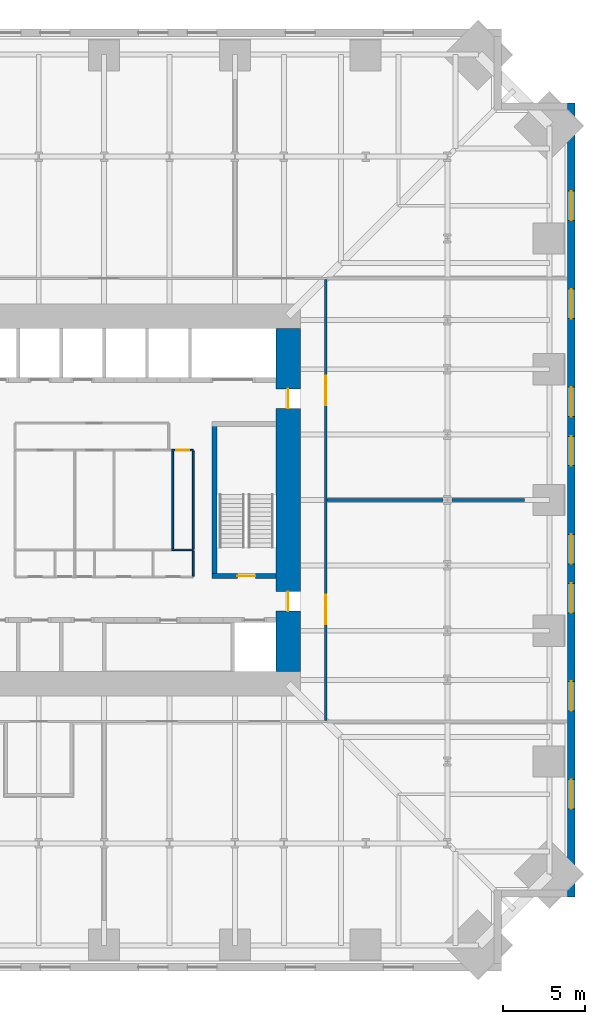
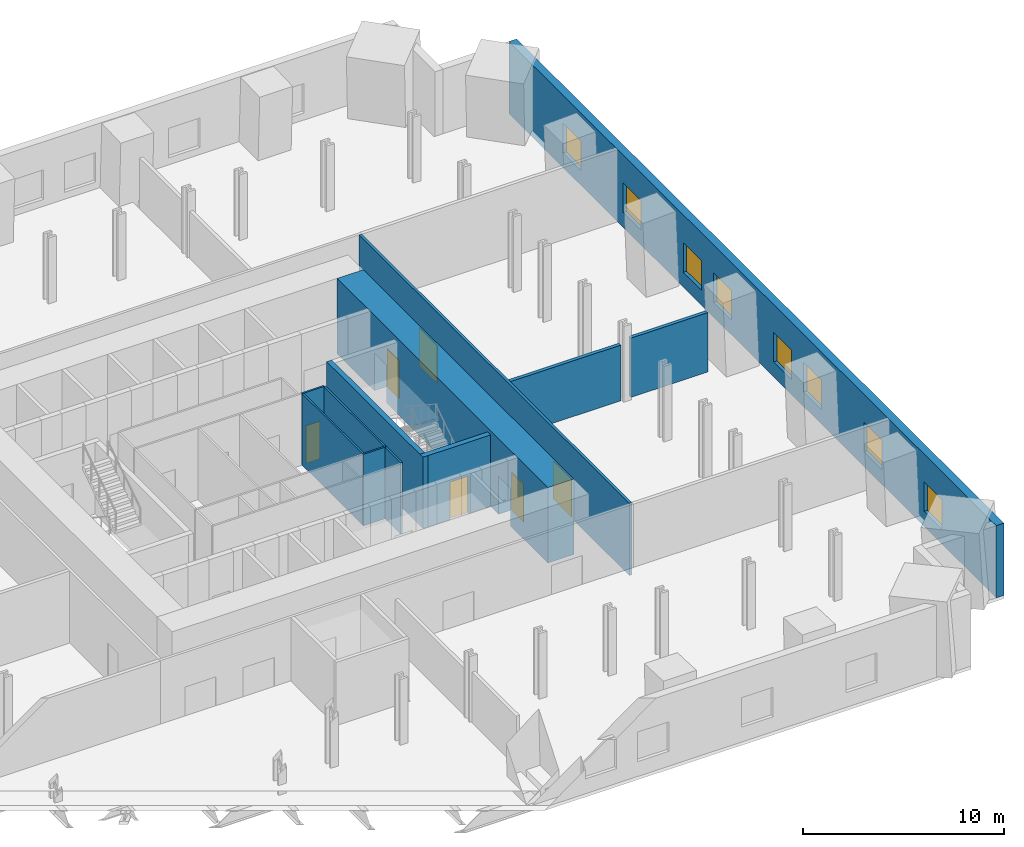
# One storey, part 5 of 8: 12 walls, 8 windows, 6 doors, 14 openings.
"""IFC4 building model written with IfcOpenShell, lengths in metres."""

from ifc_helpers import new_model, si_unit, direction, frame, frame_2d, origin, place, context, subcontext, project, spatial, rectangle, extrude, material, layer, layer_set, type_object, element, fill, save


model = new_model("IFC4")

# Units and contexts
model_context = context("Model", 3, precision=1e-05, world=origin(), true_north=direction((0.0, 1.0)))
body_context = subcontext(model_context, "Body", "Model", "MODEL_VIEW")
ifc_project = project(units=[si_unit("LENGTHUNIT", "METRE"), si_unit("AREAUNIT", "SQUARE_METRE"), si_unit("VOLUMEUNIT", "CUBIC_METRE"), si_unit("PLANEANGLEUNIT", "RADIAN"), si_unit("MASSUNIT", "GRAM", prefix="KILO")], contexts=[model_context])

# Site, building, storey
site_placement = place(None, origin())
site = spatial("IfcSite", under=ifc_project, at=site_placement, CompositionType="ELEMENT")
building_placement = place(site_placement, origin())
building = spatial("IfcBuilding", under=site, at=building_placement, Name="Peilmerk Tower", CompositionType="ELEMENT")
storey_placement = place(building_placement, frame((0.0, 0.0, 90.60009765625)))
storey = spatial("IfcBuildingStorey", under=building, at=storey_placement, Name="L17", CompositionType="ELEMENT", Elevation=90.60009765625)

# Wall, openings, windows
ifc_material_1 = material(Name="Precast concrete C45/55, board-marked finish", Category="concrete")
ifc_layer_1 = layer(ifc_material_1, 0.449951171875)
ifc_layer_set_1 = layer_set([ifc_layer_1], Name="Precast concrete C45/55, board-marked finish")
wall_type_1 = type_object("IfcWallType", Name="EW1 450 precast concrete facade wall, board-marked", PredefinedType="SOLIDWALL", material=ifc_layer_set_1)
wall_1_placement = place(storey_placement, frame((28.574951171875, -24.300048828125, 0.0), z_axis=(0.0, 0.0, 1.0), x_axis=(0.0, 1.0, 0.0)))
wall_1 = element("IfcWall", 1, at=wall_1_placement, inside=storey, type_object=wall_type_1, Name="Facade wall E L17", PredefinedType="SOLIDWALL", context=body_context, shape_type="SweptSolid", body=[
    extrude(rectangle(XDim=48.60009765625, YDim=0.449951171875, at=frame_2d((24.300048828125, 0.0))), origin(), (0.0, 0.0, 1.0), 4.39990234375),
])
opening_1_placement = place(wall_1_placement, frame((5.39990234375, 0.0, 0.89990234375)))
opening_1 = element("IfcOpeningElement", 2, at=opening_1_placement, cuts=wall_1, Name="Opening W3", PredefinedType="OPENING", context=body_context, shape_type="SweptSolid", body=[
    extrude(rectangle(XDim=1.800048828125, YDim=1.800048828125, at=frame_2d((0.89990234375, 0.89990234375))), frame((0.0, 0.23486328125, 0.0), z_axis=(0.0, -1.0, 0.0), x_axis=(1.0, 0.0, 0.0)), (0.0, 0.0, 1.0), 0.469970703125),
])
opening_2_placement = place(wall_1_placement, frame((11.39990234375, 0.0, 0.89990234375)))
opening_2 = element("IfcOpeningElement", 3, at=opening_2_placement, cuts=wall_1, Name="Opening W3", PredefinedType="OPENING", context=body_context, shape_type="SweptSolid", body=[
    extrude(rectangle(XDim=1.800048828125, YDim=1.800048828125, at=frame_2d((0.89990234375, 0.89990234375))), frame((0.0, 0.23486328125, 0.0), z_axis=(0.0, -1.0, 0.0), x_axis=(1.0, 0.0, 0.0)), (0.0, 0.0, 1.0), 0.469970703125),
])
opening_3_placement = place(wall_1_placement, frame((17.39990234375, 0.0, 0.89990234375)))
opening_3 = element("IfcOpeningElement", 4, at=opening_3_placement, cuts=wall_1, Name="Opening W3", PredefinedType="OPENING", context=body_context, shape_type="SweptSolid", body=[
    extrude(rectangle(XDim=1.800048828125, YDim=1.800048828125, at=frame_2d((0.89990234375, 0.89990234375))), frame((0.0, 0.23486328125, 0.0), z_axis=(0.0, -1.0, 0.0), x_axis=(1.0, 0.0, 0.0)), (0.0, 0.0, 1.0), 0.469970703125),
])
opening_4_placement = place(wall_1_placement, frame((20.39990234375, 0.0, 0.89990234375)))
opening_4 = element("IfcOpeningElement", 5, at=opening_4_placement, cuts=wall_1, Name="Opening W3", PredefinedType="OPENING", context=body_context, shape_type="SweptSolid", body=[
    extrude(rectangle(XDim=1.800048828125, YDim=1.800048828125, at=frame_2d((0.89990234375, 0.89990234375))), frame((0.0, 0.23486328125, 0.0), z_axis=(0.0, -1.0, 0.0), x_axis=(1.0, 0.0, 0.0)), (0.0, 0.0, 1.0), 0.469970703125),
])
opening_5_placement = place(wall_1_placement, frame((26.39990234375, 0.0, 0.89990234375)))
opening_5 = element("IfcOpeningElement", 6, at=opening_5_placement, cuts=wall_1, Name="Opening W3", PredefinedType="OPENING", context=body_context, shape_type="SweptSolid", body=[
    extrude(rectangle(XDim=1.800048828125, YDim=1.800048828125, at=frame_2d((0.89990234375, 0.89990234375))), frame((0.0, 0.23486328125, 0.0), z_axis=(0.0, -1.0, 0.0), x_axis=(1.0, 0.0, 0.0)), (0.0, 0.0, 1.0), 0.469970703125),
])
opening_6_placement = place(wall_1_placement, frame((29.39990234375, 0.0, 0.89990234375)))
opening_6 = element("IfcOpeningElement", 7, at=opening_6_placement, cuts=wall_1, Name="Opening W3", PredefinedType="OPENING", context=body_context, shape_type="SweptSolid", body=[
    extrude(rectangle(XDim=1.800048828125, YDim=1.800048828125, at=frame_2d((0.89990234375, 0.89990234375))), frame((0.0, 0.23486328125, 0.0), z_axis=(0.0, -1.0, 0.0), x_axis=(1.0, 0.0, 0.0)), (0.0, 0.0, 1.0), 0.469970703125),
])
opening_7_placement = place(wall_1_placement, frame((35.39990234375, 0.0, 0.89990234375)))
opening_7 = element("IfcOpeningElement", 8, at=opening_7_placement, cuts=wall_1, Name="Opening W3", PredefinedType="OPENING", context=body_context, shape_type="SweptSolid", body=[
    extrude(rectangle(XDim=1.800048828125, YDim=1.800048828125, at=frame_2d((0.89990234375, 0.89990234375))), frame((0.0, 0.23486328125, 0.0), z_axis=(0.0, -1.0, 0.0), x_axis=(1.0, 0.0, 0.0)), (0.0, 0.0, 1.0), 0.469970703125),
])
opening_8_placement = place(wall_1_placement, frame((41.39990234375, 0.0, 0.89990234375)))
opening_8 = element("IfcOpeningElement", 9, at=opening_8_placement, cuts=wall_1, Name="Opening W3", PredefinedType="OPENING", context=body_context, shape_type="SweptSolid", body=[
    extrude(rectangle(XDim=1.800048828125, YDim=1.800048828125, at=frame_2d((0.89990234375, 0.89990234375))), frame((0.0, 0.23486328125, 0.0), z_axis=(0.0, -1.0, 0.0), x_axis=(1.0, 0.0, 0.0)), (0.0, 0.0, 1.0), 0.469970703125),
])
ifc_material_2 = material(Name="Aluminium frame, clear double glazing", Category="aluminium")
window_type = type_object("IfcWindowType", Name="W3 1800x1800 telecom floor window", PartitioningType="SINGLE_PANEL", PredefinedType="WINDOW", material=ifc_material_2)
window_1_placement = place(opening_1_placement, origin())
window_1 = element("IfcWindow", 10, at=window_1_placement, inside=storey, type_object=window_type, Name="Window W3 L17", OverallHeight=1.800048828125, OverallWidth=1.800048828125, PartitioningType="SINGLE_PANEL", PredefinedType="WINDOW", context=body_context, shape_type="SweptSolid", body=[
    extrude(rectangle(XDim=1.800048828125, YDim=1.800048828125, at=frame_2d((0.89990234375, 0.89990234375))), frame((0.0, 0.030029296875, 0.0), z_axis=(0.0, -1.0, 0.0), x_axis=(1.0, 0.0, 0.0)), (0.0, 0.0, 1.0), 0.06005859375),
])
fill(opening_1, window_1)
window_2_placement = place(opening_2_placement, origin())
window_2 = element("IfcWindow", 11, at=window_2_placement, inside=storey, type_object=window_type, Name="Window W3 L17", OverallHeight=1.800048828125, OverallWidth=1.800048828125, PartitioningType="SINGLE_PANEL", PredefinedType="WINDOW", context=body_context, shape_type="SweptSolid", body=[
    extrude(rectangle(XDim=1.800048828125, YDim=1.800048828125, at=frame_2d((0.89990234375, 0.89990234375))), frame((0.0, 0.030029296875, 0.0), z_axis=(0.0, -1.0, 0.0), x_axis=(1.0, 0.0, 0.0)), (0.0, 0.0, 1.0), 0.06005859375),
])
fill(opening_2, window_2)
window_3_placement = place(opening_3_placement, origin())
window_3 = element("IfcWindow", 12, at=window_3_placement, inside=storey, type_object=window_type, Name="Window W3 L17", OverallHeight=1.800048828125, OverallWidth=1.800048828125, PartitioningType="SINGLE_PANEL", PredefinedType="WINDOW", context=body_context, shape_type="SweptSolid", body=[
    extrude(rectangle(XDim=1.800048828125, YDim=1.800048828125, at=frame_2d((0.89990234375, 0.89990234375))), frame((0.0, 0.030029296875, 0.0), z_axis=(0.0, -1.0, 0.0), x_axis=(1.0, 0.0, 0.0)), (0.0, 0.0, 1.0), 0.06005859375),
])
fill(opening_3, window_3)
window_4_placement = place(opening_4_placement, origin())
window_4 = element("IfcWindow", 13, at=window_4_placement, inside=storey, type_object=window_type, Name="Window W3 L17", OverallHeight=1.800048828125, OverallWidth=1.800048828125, PartitioningType="SINGLE_PANEL", PredefinedType="WINDOW", context=body_context, shape_type="SweptSolid", body=[
    extrude(rectangle(XDim=1.800048828125, YDim=1.800048828125, at=frame_2d((0.89990234375, 0.89990234375))), frame((0.0, 0.030029296875, 0.0), z_axis=(0.0, -1.0, 0.0), x_axis=(1.0, 0.0, 0.0)), (0.0, 0.0, 1.0), 0.06005859375),
])
fill(opening_4, window_4)
window_5_placement = place(opening_5_placement, origin())
window_5 = element("IfcWindow", 14, at=window_5_placement, inside=storey, type_object=window_type, Name="Window W3 L17", OverallHeight=1.800048828125, OverallWidth=1.800048828125, PartitioningType="SINGLE_PANEL", PredefinedType="WINDOW", context=body_context, shape_type="SweptSolid", body=[
    extrude(rectangle(XDim=1.800048828125, YDim=1.800048828125, at=frame_2d((0.89990234375, 0.89990234375))), frame((0.0, 0.030029296875, 0.0), z_axis=(0.0, -1.0, 0.0), x_axis=(1.0, 0.0, 0.0)), (0.0, 0.0, 1.0), 0.06005859375),
])
fill(opening_5, window_5)
window_6_placement = place(opening_6_placement, origin())
window_6 = element("IfcWindow", 15, at=window_6_placement, inside=storey, type_object=window_type, Name="Window W3 L17", OverallHeight=1.800048828125, OverallWidth=1.800048828125, PartitioningType="SINGLE_PANEL", PredefinedType="WINDOW", context=body_context, shape_type="SweptSolid", body=[
    extrude(rectangle(XDim=1.800048828125, YDim=1.800048828125, at=frame_2d((0.89990234375, 0.89990234375))), frame((0.0, 0.030029296875, 0.0), z_axis=(0.0, -1.0, 0.0), x_axis=(1.0, 0.0, 0.0)), (0.0, 0.0, 1.0), 0.06005859375),
])
fill(opening_6, window_6)
window_7_placement = place(opening_7_placement, origin())
window_7 = element("IfcWindow", 16, at=window_7_placement, inside=storey, type_object=window_type, Name="Window W3 L17", OverallHeight=1.800048828125, OverallWidth=1.800048828125, PartitioningType="SINGLE_PANEL", PredefinedType="WINDOW", context=body_context, shape_type="SweptSolid", body=[
    extrude(rectangle(XDim=1.800048828125, YDim=1.800048828125, at=frame_2d((0.89990234375, 0.89990234375))), frame((0.0, 0.030029296875, 0.0), z_axis=(0.0, -1.0, 0.0), x_axis=(1.0, 0.0, 0.0)), (0.0, 0.0, 1.0), 0.06005859375),
])
fill(opening_7, window_7)
window_8_placement = place(opening_8_placement, origin())
window_8 = element("IfcWindow", 17, at=window_8_placement, inside=storey, type_object=window_type, Name="Window W3 L17", OverallHeight=1.800048828125, OverallWidth=1.800048828125, PartitioningType="SINGLE_PANEL", PredefinedType="WINDOW", context=body_context, shape_type="SweptSolid", body=[
    extrude(rectangle(XDim=1.800048828125, YDim=1.800048828125, at=frame_2d((0.89990234375, 0.89990234375))), frame((0.0, 0.030029296875, 0.0), z_axis=(0.0, -1.0, 0.0), x_axis=(1.0, 0.0, 0.0)), (0.0, 0.0, 1.0), 0.06005859375),
])
fill(opening_8, window_8)

# Wall, openings, doors
ifc_material_3 = material(Name="Calcium silicate block", Category="masonry")
ifc_layer_2 = layer(ifc_material_3, 0.14990234375)
ifc_layer_set_2 = layer_set([ifc_layer_2], Name="Calcium silicate block")
wall_type_2 = type_object("IfcWallType", Name="IW1 150 corridor partition, EI 60", PredefinedType="PARTITIONING", material=ifc_layer_set_2)
wall_2_placement = place(storey_placement, frame((13.550048828125, -13.47509765625, 0.0), z_axis=(0.0, 0.0, 1.0), x_axis=(0.0, 1.0, 0.0)))
wall_2 = element("IfcWall", 18, at=wall_2_placement, inside=storey, type_object=wall_type_2, Name="Corridor wall E L17", PredefinedType="PARTITIONING", context=body_context, shape_type="SweptSolid", body=[
    extrude(rectangle(XDim=26.9501953125, YDim=0.14990234375, at=frame_2d((13.47509765625, 0.0))), origin(), (0.0, 0.0, 1.0), 4.39990234375),
])
opening_9_placement = place(wall_2_placement, frame((5.875, 0.0, 0.0)))
opening_9 = element("IfcOpeningElement", 19, at=opening_9_placement, cuts=wall_2, Name="Opening D2", PredefinedType="OPENING", context=body_context, shape_type="SweptSolid", body=[
    extrude(rectangle(XDim=1.800048828125, YDim=2.300048828125, at=frame_2d((0.89990234375, 1.14990234375))), frame((0.0, 0.0849609375, 0.0), z_axis=(0.0, -1.0, 0.0), x_axis=(1.0, 0.0, 0.0)), (0.0, 0.0, 1.0), 0.169921875),
])
opening_10_placement = place(wall_2_placement, frame((19.27490234375, 0.0, 0.0)))
opening_10 = element("IfcOpeningElement", 20, at=opening_10_placement, cuts=wall_2, Name="Opening D2", PredefinedType="OPENING", context=body_context, shape_type="SweptSolid", body=[
    extrude(rectangle(XDim=1.800048828125, YDim=2.300048828125, at=frame_2d((0.89990234375, 1.14990234375))), frame((0.0, 0.0849609375, 0.0), z_axis=(0.0, -1.0, 0.0), x_axis=(1.0, 0.0, 0.0)), (0.0, 0.0, 1.0), 0.169921875),
])
ifc_material_4 = material(Name="Steel door in steel frame", Category="steel")
door_type_1 = type_object("IfcDoorType", Name="D2 1800x2300 double door, EI2 60", OperationType="DOUBLE_DOOR_DOUBLE_SWING", PredefinedType="DOOR", material=ifc_material_4)
door_1_placement = place(opening_9_placement, frame((1.800048828125, 0.0, 0.0), z_axis=(0.0, 0.0, 1.0), x_axis=(-1.0, 0.0, 0.0)))
door_1 = element("IfcDoor", 21, at=door_1_placement, inside=storey, type_object=door_type_1, Name="Door Rectifier room L17", OperationType="DOUBLE_DOOR_DOUBLE_SWING", OverallHeight=2.300048828125, OverallWidth=1.800048828125, PredefinedType="DOOR", context=body_context, shape_type="SweptSolid", body=[
    extrude(rectangle(XDim=1.800048828125, YDim=2.300048828125, at=frame_2d((0.89990234375, 1.14990234375))), frame((0.0, 0.02490234375, 0.0), z_axis=(0.0, -1.0, 0.0), x_axis=(1.0, 0.0, 0.0)), (0.0, 0.0, 1.0), 0.050048828125),
])
fill(opening_9, door_1)
door_2_placement = place(opening_10_placement, frame((1.800048828125, 0.0, 0.0), z_axis=(0.0, 0.0, 1.0), x_axis=(-1.0, 0.0, 0.0)))
door_2 = element("IfcDoor", 22, at=door_2_placement, inside=storey, type_object=door_type_1, Name="Door Battery room L17", OperationType="DOUBLE_DOOR_DOUBLE_SWING", OverallHeight=2.300048828125, OverallWidth=1.800048828125, PredefinedType="DOOR", context=body_context, shape_type="SweptSolid", body=[
    extrude(rectangle(XDim=1.800048828125, YDim=2.300048828125, at=frame_2d((0.89990234375, 1.14990234375))), frame((0.0, 0.02490234375, 0.0), z_axis=(0.0, -1.0, 0.0), x_axis=(1.0, 0.0, 0.0)), (0.0, 0.0, 1.0), 0.050048828125),
])
fill(opening_10, door_2)

# Walls
ifc_layer_3 = layer(ifc_material_3, 0.199951171875)
ifc_layer_set_3 = layer_set([ifc_layer_3], Name="Calcium silicate block")
wall_type_3 = type_object("IfcWallType", Name="IW2 200 room separating wall, EI 120", PredefinedType="PARTITIONING", material=ifc_layer_set_3)
wall_3_placement = place(storey_placement, frame((13.625, 0.0, 0.0), z_axis=(0.0, 0.0, 1.0), x_axis=(1.0, 0.0, 0.0)))
element("IfcWall", 23, at=wall_3_placement, inside=storey, type_object=wall_type_3, Name="Room separating wall E1 L17", PredefinedType="PARTITIONING", context=body_context, shape_type="SweptSolid", body=[
    extrude(rectangle(XDim=7.090576171875, YDim=0.199951171875, at=frame_2d((3.54541015625, 0.0))), origin(), (0.0, 0.0, 1.0), 3.391845703125),
])
wall_4_placement = place(storey_placement, frame((21.284423828125, 0.0, 0.0), z_axis=(0.0, 0.0, 1.0), x_axis=(1.0, 0.0, 0.0)))
element("IfcWall", 24, at=wall_4_placement, inside=storey, type_object=wall_type_3, Name="Room separating wall E1b L17", PredefinedType="PARTITIONING", context=body_context, shape_type="SweptSolid", body=[
    extrude(rectangle(XDim=4.43017578125, YDim=0.199951171875, at=frame_2d((2.215087890625, 0.0))), origin(), (0.0, 0.0, 1.0), 3.60986328125),
])
ifc_material_5 = material(Name="Concrete C35/45", Category="concrete")
ifc_layer_4 = layer(ifc_material_5, 0.300048828125)
ifc_layer_set_4 = layer_set([ifc_layer_4], Name="Concrete C35/45")
wall_type_4 = type_object("IfcWallType", Name="IW3 300 concrete stair enclosure wall, EI 120", PredefinedType="SOLIDWALL", material=ifc_layer_set_4)
wall_5_placement = place(storey_placement, frame((6.75, -4.800048828125, 0.0), z_axis=(0.0, 0.0, 1.0), x_axis=(0.0, 1.0, 0.0)))
element("IfcWall", 25, at=wall_5_placement, inside=storey, type_object=wall_type_4, Name="Stair 2 enclosure L17", PredefinedType="SOLIDWALL", context=body_context, shape_type="SweptSolid", body=[
    extrude(rectangle(XDim=9.60009765625, YDim=0.300048828125, at=frame_2d((4.800048828125, 0.0))), origin(), (0.0, 0.0, 1.0), 4.349853515625),
])

# Wall, opening, door
wall_6_placement = place(storey_placement, frame((10.5, -4.64990234375, 0.0), z_axis=(0.0, 0.0, 1.0), x_axis=(-1.0, 0.0, 0.0)))
wall_6 = element("IfcWall", 26, at=wall_6_placement, inside=storey, type_object=wall_type_4, Name="Stair 2 enclosure L17", PredefinedType="SOLIDWALL", context=body_context, shape_type="SweptSolid", body=[
    extrude(rectangle(XDim=3.89990234375, YDim=0.300048828125, at=frame_2d((1.949951171875, 0.0))), origin(), (0.0, 0.0, 1.0), 4.349853515625),
])
opening_11_placement = place(wall_6_placement, frame((1.25, 0.0, 0.0)))
opening_11 = element("IfcOpeningElement", 27, at=opening_11_placement, cuts=wall_6, Name="Opening D4", PredefinedType="OPENING", context=body_context, shape_type="SweptSolid", body=[
    extrude(rectangle(XDim=1.10009765625, YDim=2.300048828125, at=frame_2d((0.550048828125, 1.14990234375))), frame((0.0, 0.159912109375, 0.0), z_axis=(0.0, -1.0, 0.0), x_axis=(1.0, 0.0, 0.0)), (0.0, 0.0, 1.0), 0.320068359375),
])
door_type_2 = type_object("IfcDoorType", Name="D4 1100x2300 stair door, EI2 60", OperationType="SINGLE_SWING_RIGHT", PredefinedType="DOOR", material=ifc_material_4)
door_3_placement = place(opening_11_placement, frame((1.10009765625, 0.0, 0.0), z_axis=(0.0, 0.0, 1.0), x_axis=(-1.0, 0.0, 0.0)))
door_3 = element("IfcDoor", 28, at=door_3_placement, inside=storey, type_object=door_type_2, Name="Stair 2 door L17", OperationType="SINGLE_SWING_RIGHT", OverallHeight=2.300048828125, OverallWidth=1.10009765625, PredefinedType="DOOR", context=body_context, shape_type="SweptSolid", body=[
    extrude(rectangle(XDim=1.10009765625, YDim=2.300048828125, at=frame_2d((0.550048828125, 1.14990234375))), frame((0.0, 0.02490234375, 0.0), z_axis=(0.0, -1.0, 0.0), x_axis=(1.0, 0.0, 0.0)), (0.0, 0.0, 1.0), 0.050048828125),
])
fill(opening_11, door_3)

ifc_material_6 = material(Name="Calcium silicate board on steel studs", Category="steel")
ifc_layer_5 = layer(ifc_material_6, 0.10009765625)
ifc_layer_set_5 = layer_set([ifc_layer_5], Name="Calcium silicate board on steel studs")
wall_type_5 = type_object("IfcWallType", Name="IW5 100 riser enclosure wall, EI 60", PredefinedType="PARTITIONING", material=ifc_layer_set_5)
wall_7_placement = place(storey_placement, frame((4.14990234375, 3.050048828125, 0.0), z_axis=(0.0, 0.0, 1.0), x_axis=(1.0, 0.0, 0.0)))
wall_7 = element("IfcWall", 29, at=wall_7_placement, inside=storey, type_object=wall_type_5, Name="Riser wall L17", PredefinedType="PARTITIONING", context=body_context, shape_type="SweptSolid", body=[
    extrude(rectangle(XDim=1.300048828125, YDim=0.10009765625, at=frame_2d((0.64990234375, 0.0))), origin(), (0.0, 0.0, 1.0), 4.349853515625),
])
opening_12_placement = place(wall_7_placement, frame((0.25, 0.0, 0.0)))
opening_12 = element("IfcOpeningElement", 30, at=opening_12_placement, cuts=wall_7, Name="Opening D7", PredefinedType="OPENING", context=body_context, shape_type="SweptSolid", body=[
    extrude(rectangle(XDim=0.800048828125, YDim=2.300048828125, at=frame_2d((0.39990234375, 1.14990234375))), frame((0.0, 0.06005859375, 0.0), z_axis=(0.0, -1.0, 0.0), x_axis=(1.0, 0.0, 0.0)), (0.0, 0.0, 1.0), 0.1201171875),
])
door_type_3 = type_object("IfcDoorType", Name="D7 800x2300 riser access door, EI2 60", OperationType="SINGLE_SWING_RIGHT", PredefinedType="DOOR", material=ifc_material_4)
door_4_placement = place(opening_12_placement, frame((0.800048828125, 0.0, 0.0), z_axis=(0.0, 0.0, 1.0), x_axis=(-1.0, 0.0, 0.0)))
door_4 = element("IfcDoor", 31, at=door_4_placement, inside=storey, type_object=door_type_3, Name="Plumbing riser door L17", OperationType="SINGLE_SWING_RIGHT", OverallHeight=2.300048828125, OverallWidth=0.800048828125, PredefinedType="DOOR", context=body_context, shape_type="SweptSolid", body=[
    extrude(rectangle(XDim=0.800048828125, YDim=2.300048828125, at=frame_2d((0.39990234375, 1.14990234375))), frame((0.0, 0.02490234375, 0.0), z_axis=(0.0, -1.0, 0.0), x_axis=(1.0, 0.0, 0.0)), (0.0, 0.0, 1.0), 0.050048828125),
])
fill(opening_12, door_4)

# Walls
wall_8_placement = place(storey_placement, frame((5.449951171875, -3.050048828125, 0.0), z_axis=(0.0, 0.0, 1.0), x_axis=(-1.0, 0.0, 0.0)))
element("IfcWall", 32, at=wall_8_placement, inside=storey, type_object=wall_type_5, Name="Riser wall L17", PredefinedType="PARTITIONING", context=body_context, shape_type="SweptSolid", body=[
    extrude(rectangle(XDim=1.300048828125, YDim=0.10009765625, at=frame_2d((0.64990234375, 0.0))), origin(), (0.0, 0.0, 1.0), 4.349853515625),
])
for number, where, z_axis, x_axis, name in (
    (33, (5.449951171875, 3.0, 0.0), (0.0, 0.0, 1.0), (0.0, -1.0, 0.0), "Riser wall L17"),
    (34, (4.199951171875, -3.0, 0.0), (0.0, 0.0, 1.0), (0.0, 1.0, 0.0), "Riser wall L17"),
):
    element("IfcWall", number, at=place(storey_placement, frame(where, z_axis=z_axis, x_axis=x_axis)), inside=storey, type_object=wall_type_5, Name=name, PredefinedType="PARTITIONING", context=body_context, shape_type="SweptSolid", body=[
        extrude(rectangle(XDim=6.0, YDim=0.10009765625, at=frame_2d((3.0, 0.0))), origin(), (0.0, 0.0, 1.0), 4.349853515625),
    ])
wall_9_placement = place(storey_placement, frame((5.449951171875, -3.10009765625, 0.0), z_axis=(0.0, 0.0, 1.0), x_axis=(0.0, -1.0, 0.0)))
element("IfcWall", 35, at=wall_9_placement, inside=storey, type_object=wall_type_5, Name="Riser wall L17", PredefinedType="PARTITIONING", context=body_context, shape_type="SweptSolid", body=[
    extrude(rectangle(XDim=1.5498046875, YDim=0.10009765625, at=frame_2d((0.77490234375, 0.0))), origin(), (0.0, 0.0, 1.0), 4.349853515625),
])

# Wall, openings, doors
ifc_material_7 = material(Name="Concrete C55/67", Category="concrete")
ifc_layer_6 = layer(ifc_material_7, 1.5)
ifc_layer_set_6 = layer_set([ifc_layer_6], Name="Concrete C55/67")
wall_type_6 = type_object("IfcWallType", Name="SW1 1500 core wall", PredefinedType="SHEAR", material=ifc_layer_set_6)
wall_10_placement = place(storey_placement, frame((11.25, 10.5, 0.0), z_axis=(0.0, 0.0, 1.0), x_axis=(0.0, -1.0, 0.0)))
wall_10 = element("IfcWall", 36, at=wall_10_placement, inside=storey, type_object=wall_type_6, Name="Core wall E L17", PredefinedType="SHEAR", context=body_context, shape_type="SweptSolid", body=[
    extrude(rectangle(XDim=21.0, YDim=1.5, at=frame_2d((10.5, 0.0))), origin(), (0.0, 0.0, 1.0), 4.599853515625),
])
opening_13_placement = place(wall_10_placement, frame((3.699951171875, 0.0, 0.0)))
opening_13 = element("IfcOpeningElement", 37, at=opening_13_placement, cuts=wall_10, Name="Opening D3", PredefinedType="OPENING", context=body_context, shape_type="SweptSolid", body=[
    extrude(rectangle(XDim=1.199951171875, YDim=2.300048828125, at=frame_2d((0.60009765625, 1.14990234375))), frame((0.0, 0.760009765625, 0.0), z_axis=(0.0, -1.0, 0.0), x_axis=(1.0, 0.0, 0.0)), (0.0, 0.0, 1.0), 1.52001953125),
])
opening_14_placement = place(wall_10_placement, frame((16.10009765625, 0.0, 0.0)))
opening_14 = element("IfcOpeningElement", 38, at=opening_14_placement, cuts=wall_10, Name="Opening D3", PredefinedType="OPENING", context=body_context, shape_type="SweptSolid", body=[
    extrude(rectangle(XDim=1.199951171875, YDim=2.300048828125, at=frame_2d((0.60009765625, 1.14990234375))), frame((0.0, 0.760009765625, 0.0), z_axis=(0.0, -1.0, 0.0), x_axis=(1.0, 0.0, 0.0)), (0.0, 0.0, 1.0), 1.52001953125),
])
door_type_4 = type_object("IfcDoorType", Name="D3 1200x2300 core door, EI2 60", OperationType="SINGLE_SWING_LEFT", PredefinedType="DOOR", material=ifc_material_4)
door_5_placement = place(opening_13_placement, frame((1.199951171875, 0.0, 0.0), z_axis=(0.0, 0.0, 1.0), x_axis=(-1.0, 0.0, 0.0)))
door_5 = element("IfcDoor", 39, at=door_5_placement, inside=storey, type_object=door_type_4, Name="Core door L17", OperationType="SINGLE_SWING_LEFT", OverallHeight=2.300048828125, OverallWidth=1.199951171875, PredefinedType="DOOR", context=body_context, shape_type="SweptSolid", body=[
    extrude(rectangle(XDim=1.199951171875, YDim=2.300048828125, at=frame_2d((0.60009765625, 1.14990234375))), frame((0.0, 0.02490234375, 0.0), z_axis=(0.0, -1.0, 0.0), x_axis=(1.0, 0.0, 0.0)), (0.0, 0.0, 1.0), 0.050048828125),
])
fill(opening_13, door_5)
door_6_placement = place(opening_14_placement, frame((1.199951171875, 0.0, 0.0), z_axis=(0.0, 0.0, 1.0), x_axis=(-1.0, 0.0, 0.0)))
door_6 = element("IfcDoor", 40, at=door_6_placement, inside=storey, type_object=door_type_4, Name="Core door L17", OperationType="SINGLE_SWING_LEFT", OverallHeight=2.300048828125, OverallWidth=1.199951171875, PredefinedType="DOOR", context=body_context, shape_type="SweptSolid", body=[
    extrude(rectangle(XDim=1.199951171875, YDim=2.300048828125, at=frame_2d((0.60009765625, 1.14990234375))), frame((0.0, 0.02490234375, 0.0), z_axis=(0.0, -1.0, 0.0), x_axis=(1.0, 0.0, 0.0)), (0.0, 0.0, 1.0), 0.050048828125),
])
fill(opening_14, door_6)

save(model, "model.ifc")
